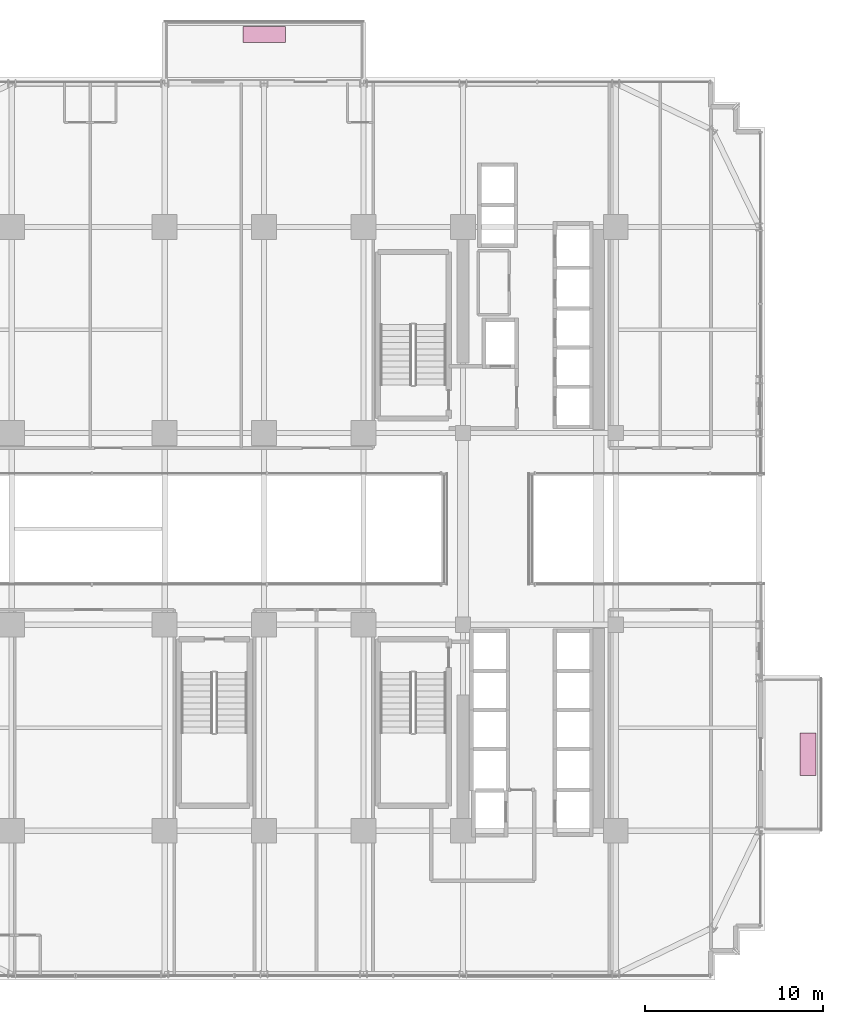
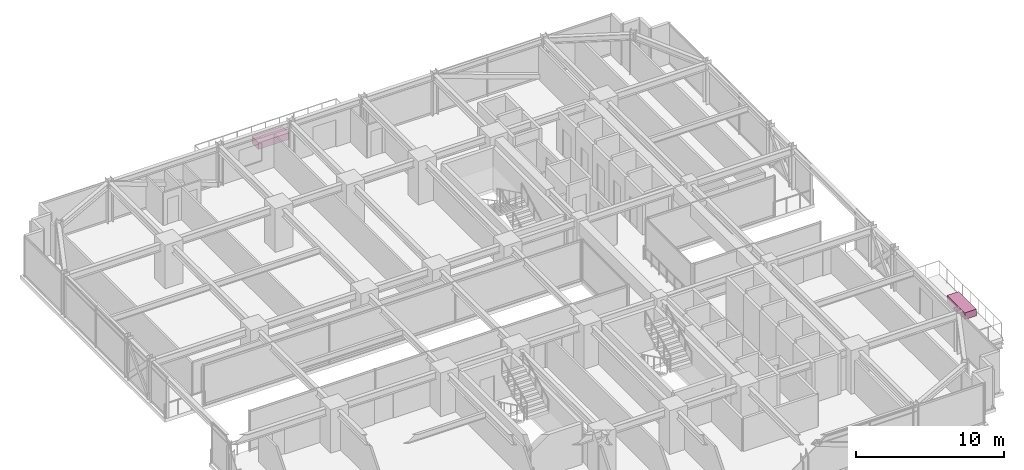
# One storey, part 47 of 47: 2 furnishings.
"""IFC4 building model written with IfcOpenShell, lengths in metres."""

from ifc_helpers import new_model, si_unit, direction, frame, origin, origin_2d, place, context, subcontext, project, spatial, rectangle, extrude, source, transform, mapped, material, type_object, element, save


model = new_model("IFC4")

# Units and contexts
model_context = context("Model", 3, precision=1e-05, world=origin(), true_north=direction((0.0, 1.0)))
body_context = subcontext(model_context, "Body", "Model", "MODEL_VIEW")
ifc_project = project(units=[si_unit("LENGTHUNIT", "METRE"), si_unit("AREAUNIT", "SQUARE_METRE"), si_unit("VOLUMEUNIT", "CUBIC_METRE"), si_unit("PLANEANGLEUNIT", "RADIAN"), si_unit("MASSUNIT", "GRAM", prefix="KILO")], contexts=[model_context])

# Site, building, storey
site_placement = place(None, origin())
site = spatial("IfcSite", under=ifc_project, at=site_placement, CompositionType="ELEMENT")
building_placement = place(site_placement, origin())
building = spatial("IfcBuilding", under=site, at=building_placement, Name="Nahalor Promenade Grand Hotel", CompositionType="ELEMENT")
storey_placement = place(building_placement, frame((0.0, 0.0, 68.89990234375)))
storey = spatial("IfcBuildingStorey", under=building, at=storey_placement, Name="L16", CompositionType="ELEMENT", Elevation=68.89990234375)

# Furnishings
ifc_material = material(Name="Vegetated Volcanic-Lapilli Tree Planter", Category="earth")
furnishing_element_type = type_object("IfcFurnishingElementType", Name="Planter-VerticalForest-Box", material=ifc_material)
shared_shape = source(origin(), body_context, "Body", "SweptSolid", [
    extrude(rectangle(XDim=2.39990234375, YDim=0.89990234375, at=origin_2d()), origin(), (0.0, 0.0, 1.0), 0.550048828125),
])
for number, where, z_axis, x_axis, name in (
    (1, (-2.800048828125, 27.830078125, 0.0), (0.0, 0.0, 1.0), (1.0, 0.0, 0.0), "L16 Balcony Structural Tree Planter 1"),
    (2, (27.830078125, -12.699951171875, 0.0), (0.0, 0.0, 1.0), (0.0, 1.0, 0.0), "L16 Balcony Structural Tree Planter 2"),
):
    element("IfcFurnishingElement", number, at=place(storey_placement, frame(where, z_axis=z_axis, x_axis=x_axis)), inside=storey, type_object=furnishing_element_type, Name=name, ObjectType="PLANTER", context=body_context, shape_type="MappedRepresentation", body=[
        mapped(shared_shape, transform((0.0, 0.0, 0.0), scale=1.0)),
    ])

save(model, "model.ifc")
